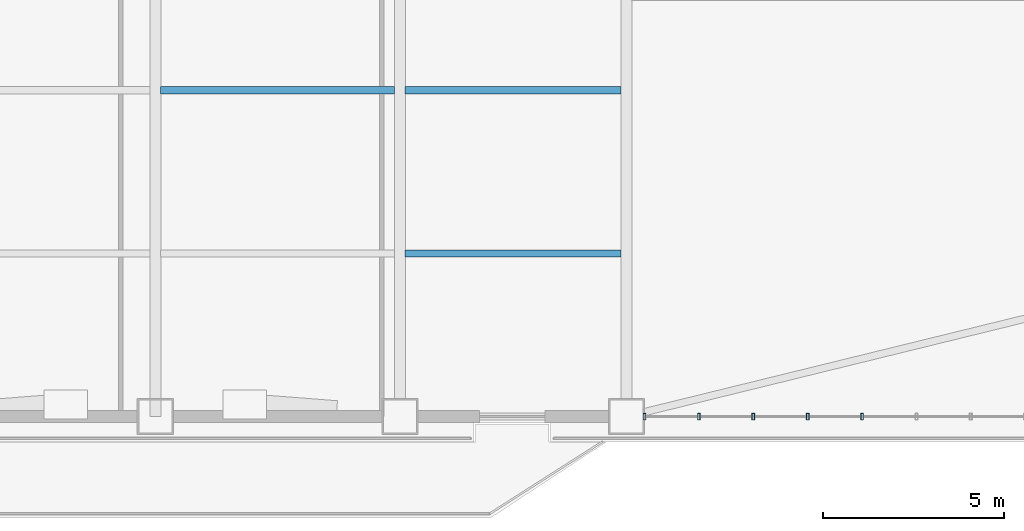
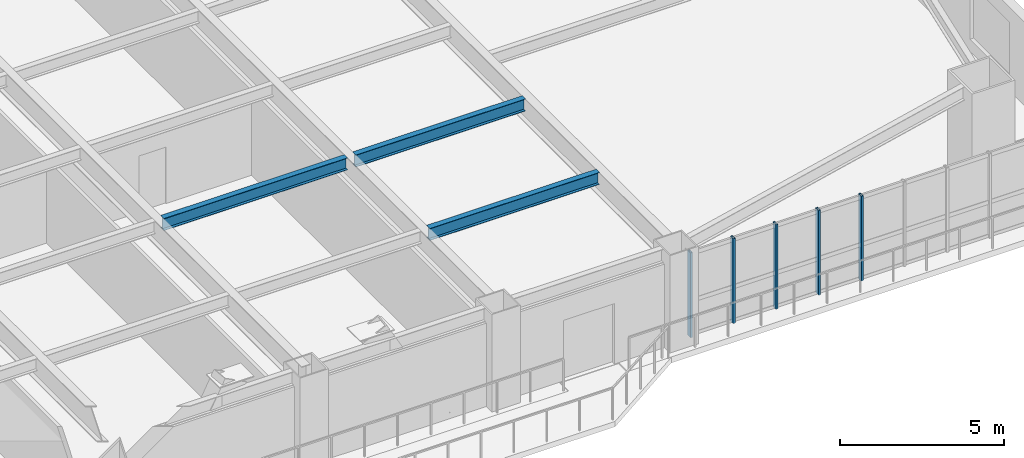
# One storey, part 4 of 16: 5 members, 3 beams, 1 element without a shape of its own.
"""IFC4 building model written with IfcOpenShell, lengths in metres."""

from ifc_helpers import new_model, si_unit, direction, frame, origin, origin_2d, place, context, subcontext, project, spatial, hollow_rectangle, i_section, extrude, source, transform, mapped, material, layer, layer_set, material_profile, profile_set, type_object, element, aggregate, save


model = new_model("IFC4")

# Units and contexts
model_context = context("Model", 3, precision=1e-05, world=origin(), true_north=direction((0.0, 1.0)))
body_context = subcontext(model_context, "Body", "Model", "MODEL_VIEW")
ifc_project = project(units=[si_unit("LENGTHUNIT", "METRE"), si_unit("AREAUNIT", "SQUARE_METRE"), si_unit("VOLUMEUNIT", "CUBIC_METRE"), si_unit("PLANEANGLEUNIT", "RADIAN"), si_unit("MASSUNIT", "GRAM", prefix="KILO")], contexts=[model_context])

# Site, building, storey
site_placement = place(None, origin())
site = spatial("IfcSite", under=ifc_project, at=site_placement, CompositionType="ELEMENT")
building_placement = place(site_placement, origin())
building = spatial("IfcBuilding", under=site, at=building_placement, Name="Giltprow Tower", CompositionType="ELEMENT")
storey_placement = place(building_placement, frame((0.0, 0.0, 91.300048828125)))
storey = spatial("IfcBuildingStorey", under=building, at=storey_placement, Name="L22", CompositionType="ELEMENT", Elevation=91.300048828125)

# Beams
ifc_material_1 = material(Name="Structural steel Q355B", Category="steel")
ifc_material_profile_1 = material_profile(ifc_material_1, i_section(OverallWidth=0.199951171875, OverallDepth=0.449951171875, WebThickness=0.009033203125, FlangeThickness=0.013916015625, at=origin_2d()), Name="HN 450x200x9x14")
ifc_profile_set_1 = profile_set([ifc_material_profile_1], Name="Structural steel Q355B")
beam_type = type_object("IfcBeamType", Name="BM-JOIST-HN450", PredefinedType="JOIST", material=ifc_profile_set_1)
shared_shape_1 = source(origin(), body_context, "Body", "SweptSolid", [
    extrude(i_section(OverallWidth=0.199951171875, OverallDepth=0.449951171875, WebThickness=0.009033203125, FlangeThickness=0.013916015625, at=origin_2d()), origin(), (0.0, 0.0, 1.0), 6.4599609375),
])
beam_placement = place(storey_placement, frame((37.695068359375, 14.93994140625, 3.39501953125), z_axis=(1.0, 0.0, 0.0), x_axis=(0.0, 1.0, 0.0)))
element("IfcBeam", 1, at=beam_placement, inside=storey, type_object=beam_type, Name="L22 Composite Floor Joist 2-3", PredefinedType="JOIST", context=body_context, shape_type="MappedRepresentation", body=[
    mapped(shared_shape_1, transform((0.0, 0.0, 0.0), x_axis=(1.0, 0.0, 0.0), y_axis=(0.0, 1.0, 0.0), z_axis=(0.0, 0.0, 1.0), scale=1.0)),
])
shared_shape_2 = source(origin(), body_context, "Body", "SweptSolid", [
    extrude(i_section(OverallWidth=0.199951171875, OverallDepth=0.449951171875, WebThickness=0.009033203125, FlangeThickness=0.013916015625, at=origin_2d()), origin(), (0.0, 0.0, 1.0), 5.9599609375),
])
for number, where, z_axis, x_axis, name in (
    (2, (44.445068359375, 10.43798828125, 3.39501953125), (1.0, 0.0, 0.0), (0.0, 1.0, 0.0), "L22 Composite Floor Joist 1-4"),
    (3, (44.445068359375, 14.93994140625, 3.39501953125), (1.0, 0.0, 0.0), (0.0, 1.0, 0.0), "L22 Composite Floor Joist 2-4"),
):
    element("IfcBeam", number, at=place(storey_placement, frame(where, z_axis=z_axis, x_axis=x_axis)), inside=storey, type_object=beam_type, Name=name, PredefinedType="JOIST", context=body_context, shape_type="MappedRepresentation", body=[
        mapped(shared_shape_2, transform((0.0, 0.0, 0.0), x_axis=(1.0, 0.0, 0.0), y_axis=(0.0, 1.0, 0.0), z_axis=(0.0, 0.0, 1.0), scale=1.0)),
    ])

# Curtain wall, members
ifc_material_2 = material(Name="Anodized bronze", Category="metal")
ifc_layer = layer(ifc_material_2, 0.179931640625, Name="Anodized bronze")
ifc_layer_set = layer_set([ifc_layer], Name="Anodized bronze")
curtain_wall_type = type_object("IfcCurtainWallType", Name="CW-OFF-RECESSED", PredefinedType="NOTDEFINED", material=ifc_layer_set)
curtain_wall_placement = place(storey_placement, origin())
curtain_wall = element("IfcCurtainWall", 4, at=curtain_wall_placement, inside=storey, type_object=curtain_wall_type, Name="L22 South Recessed Curtain Wall 6", PredefinedType="NOTDEFINED")
ifc_material_profile_2 = material_profile(ifc_material_2, hollow_rectangle(XDim=0.074951171875, YDim=0.179931640625, WallThickness=0.008056640625, at=origin_2d()), Name="RHS 180x75x8")
ifc_profile_set_2 = profile_set([ifc_material_profile_2], Name="Anodized bronze")
member_type = type_object("IfcMemberType", Name="CW-MULLION-180x75", PredefinedType="MULLION", material=ifc_profile_set_2)
shared_shape_3 = source(origin(), body_context, "Body", "SweptSolid", [
    extrude(hollow_rectangle(XDim=0.074951171875, YDim=0.179931640625, WallThickness=0.008056640625, at=origin_2d()), origin(), (0.0, 0.0, 1.0), 3.155029296875),
])
member_1_placement = place(storey_placement, frame((51.050048828125, 5.93603515625, -0.02001953125), z_axis=(0.0, 0.0, 1.0), x_axis=(1.0, 0.0, 0.0)))
member_1 = element("IfcMember", 5, at=member_1_placement, type_object=member_type, Name="L22 South Recessed Curtain Wall 6 Mullion 1", PredefinedType="MULLION", context=body_context, shape_type="MappedRepresentation", body=[
    mapped(shared_shape_3, transform((0.0, 0.0, 0.0), x_axis=(1.0, 0.0, 0.0), y_axis=(0.0, 1.0, 0.0), z_axis=(0.0, 0.0, 1.0), scale=1.0)),
])
member_2_placement = place(storey_placement, frame((52.551025390625, 5.93603515625, -0.02001953125), z_axis=(0.0, 0.0, 1.0), x_axis=(1.0, 0.0, 0.0)))
member_2 = element("IfcMember", 6, at=member_2_placement, type_object=member_type, Name="L22 South Recessed Curtain Wall 6 Mullion 2", PredefinedType="MULLION", context=body_context, shape_type="MappedRepresentation", body=[
    mapped(shared_shape_3, transform((0.0, 0.0, 0.0), x_axis=(1.0, 0.0, 0.0), y_axis=(0.0, 1.0, 0.0), z_axis=(0.0, 0.0, 1.0), scale=1.0)),
])
member_3_placement = place(storey_placement, frame((54.051025390625, 5.93603515625, -0.02001953125), z_axis=(0.0, 0.0, 1.0), x_axis=(1.0, 0.0, 0.0)))
member_3 = element("IfcMember", 7, at=member_3_placement, type_object=member_type, Name="L22 South Recessed Curtain Wall 6 Mullion 3", PredefinedType="MULLION", context=body_context, shape_type="MappedRepresentation", body=[
    mapped(shared_shape_3, transform((0.0, 0.0, 0.0), x_axis=(1.0, 0.0, 0.0), y_axis=(0.0, 1.0, 0.0), z_axis=(0.0, 0.0, 1.0), scale=1.0)),
])
member_4_placement = place(storey_placement, frame((55.552001953125, 5.93603515625, -0.02001953125), z_axis=(0.0, 0.0, 1.0), x_axis=(1.0, 0.0, 0.0)))
member_4 = element("IfcMember", 8, at=member_4_placement, type_object=member_type, Name="L22 South Recessed Curtain Wall 6 Mullion 4", PredefinedType="MULLION", context=body_context, shape_type="MappedRepresentation", body=[
    mapped(shared_shape_3, transform((0.0, 0.0, 0.0), x_axis=(1.0, 0.0, 0.0), y_axis=(0.0, 1.0, 0.0), z_axis=(0.0, 0.0, 1.0), scale=1.0)),
])
member_5_placement = place(storey_placement, frame((57.052978515625, 5.93603515625, -0.02001953125), z_axis=(0.0, 0.0, 1.0), x_axis=(1.0, 0.0, 0.0)))
member_5 = element("IfcMember", 9, at=member_5_placement, type_object=member_type, Name="L22 South Recessed Curtain Wall 6 Mullion 5", PredefinedType="MULLION", context=body_context, shape_type="MappedRepresentation", body=[
    mapped(shared_shape_3, transform((0.0, 0.0, 0.0), x_axis=(1.0, 0.0, 0.0), y_axis=(0.0, 1.0, 0.0), z_axis=(0.0, 0.0, 1.0), scale=1.0)),
])
aggregate(curtain_wall, [member_1, member_2, member_3, member_4, member_5])

save(model, "model.ifc")
